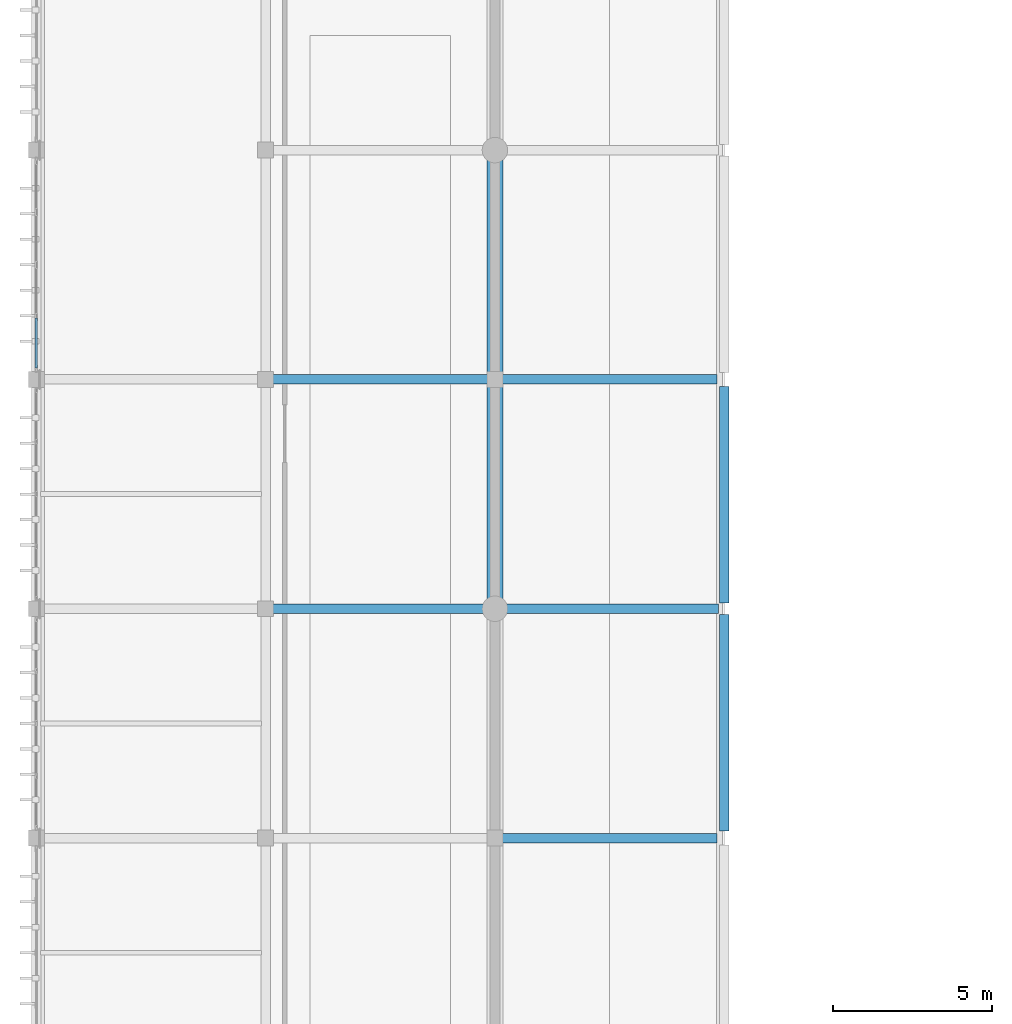
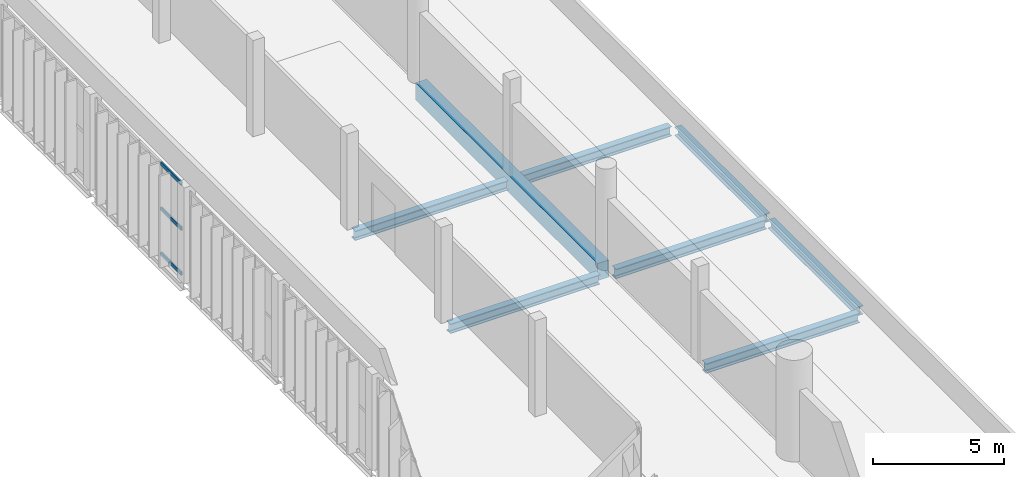
# One storey, part 20 of 64: 8 beams, 3 members, 1 element without a shape of its own.
"""IFC4 building model written with IfcOpenShell, lengths in metres."""

from ifc_helpers import new_model, si_unit, direction, frame, origin, origin_2d, place, context, subcontext, project, spatial, rectangle, hollow_rectangle, i_section, extrude, material, material_profile, profile_set, type_object, element, aggregate, save


model = new_model("IFC4")

# Units and contexts
model_context = context("Model", 3, precision=1e-05, world=origin(), true_north=direction((0.0, 1.0)))
body_context = subcontext(model_context, "Body", "Model", "MODEL_VIEW")
ifc_project = project(units=[si_unit("LENGTHUNIT", "METRE"), si_unit("AREAUNIT", "SQUARE_METRE"), si_unit("VOLUMEUNIT", "CUBIC_METRE"), si_unit("PLANEANGLEUNIT", "RADIAN"), si_unit("MASSUNIT", "GRAM", prefix="KILO")], contexts=[model_context])

# Site, building, storey
site_placement = place(None, origin())
site = spatial("IfcSite", under=ifc_project, at=site_placement, CompositionType="ELEMENT")
building_placement = place(site_placement, origin())
building = spatial("IfcBuilding", under=site, at=building_placement, Name="Qandorah Velis Arena", CompositionType="ELEMENT")
storey_placement = place(building_placement, frame((0.0, 0.0, 23.0)))
storey = spatial("IfcBuildingStorey", under=building, at=storey_placement, Name="L05", CompositionType="ELEMENT", Elevation=23.0)

# Curtain wall, members
ifc_material_1 = material(Name="Solar-control low-E double glazing", Category="glass")
curtain_wall_type = type_object("IfcCurtainWallType", Name="ARC-CW-SYS01", PredefinedType="USERDEFINED", material=ifc_material_1)
curtain_wall_placement = place(storey_placement, origin())
curtain_wall = element("IfcCurtainWall", 1, at=curtain_wall_placement, inside=storey, type_object=curtain_wall_type, Name="Unitised curtain wall L05-049", ObjectType="UNITISED CURTAIN WALL", PredefinedType="USERDEFINED")
ifc_material_2 = material(Name="Champagne-bronze anodized aluminium 6063-T6", Category="aluminium")
ifc_material_profile_1 = material_profile(ifc_material_2, hollow_rectangle(XDim=0.074951171875, YDim=0.159912109375, WallThickness=0.00341796875, at=origin_2d()), Name="ALU TRANSOM 75x160")
ifc_profile_set_1 = profile_set([ifc_material_profile_1], Name="Champagne-bronze anodized aluminium 6063-T6")
member_type = type_object("IfcMemberType", Name="ARC-CWT-160", PredefinedType="USERDEFINED", material=ifc_profile_set_1)
member_1_placement = place(storey_placement, frame((0.0, 79.56298828125, 0.03759765625), z_axis=(0.0, 1.0, 0.0), x_axis=(-1.0, 0.0, 0.0)))
member_1 = element("IfcMember", 2, at=member_1_placement, type_object=member_type, Name="CW01 transom 1.1", ObjectType="TRANSOM", PredefinedType="USERDEFINED", context=body_context, shape_type="SweptSolid", body=[
    extrude(hollow_rectangle(XDim=0.074951171875, YDim=0.159912109375, WallThickness=0.00341796875, at=origin_2d()), origin(), (0.0, 0.0, 1.0), 1.5615234375),
])
member_2_placement = place(storey_placement, frame((0.0, 79.56298828125, 2.139892578125), z_axis=(0.0, 1.0, 0.0), x_axis=(-1.0, 0.0, 0.0)))
member_2 = element("IfcMember", 3, at=member_2_placement, type_object=member_type, Name="CW01 transom 1.2", ObjectType="TRANSOM", PredefinedType="USERDEFINED", context=body_context, shape_type="SweptSolid", body=[
    extrude(hollow_rectangle(XDim=0.074951171875, YDim=0.159912109375, WallThickness=0.00341796875, at=origin_2d()), origin(), (0.0, 0.0, 1.0), 1.5615234375),
])
member_3_placement = place(storey_placement, frame((0.0, 79.56298828125, 4.242431640625), z_axis=(0.0, 1.0, 0.0), x_axis=(-1.0, 0.0, 0.0)))
member_3 = element("IfcMember", 4, at=member_3_placement, type_object=member_type, Name="CW01 transom 1.3", ObjectType="TRANSOM", PredefinedType="USERDEFINED", context=body_context, shape_type="SweptSolid", body=[
    extrude(hollow_rectangle(XDim=0.074951171875, YDim=0.159912109375, WallThickness=0.00341796875, at=origin_2d()), origin(), (0.0, 0.0, 1.0), 1.5615234375),
])
aggregate(curtain_wall, [member_1, member_2, member_3])

# Beams
ifc_material_3 = material(Name="Steel S355", Category="steel")
ifc_material_profile_2 = material_profile(ifc_material_3, i_section(OverallWidth=0.300048828125, OverallDepth=0.39990234375, WebThickness=0.013427734375, FlangeThickness=0.02392578125, FilletRadius=0.027099609375, at=origin_2d()), Name="HEB 400")
ifc_profile_set_2 = profile_set([ifc_material_profile_2], Name="Steel S355")
beam_type_1 = type_object("IfcBeamType", Name="STR-BM-HEB400", PredefinedType="BEAM", material=ifc_profile_set_2)
for number, where, z_axis, x_axis, name in (
    (5, (21.60009765625, 65.02490234375, -0.449951171875), (0.0, 1.0, 0.0), (-1.0, 0.0, 0.0), "Primary floor girder L05 Y-145"),
    (6, (21.60009765625, 72.178466796875, -0.449951171875), (0.0, 1.0, 0.0), (-1.0, 0.0, 0.0), "Primary floor girder L05 Y-146"),
):
    element("IfcBeam", number, at=place(storey_placement, frame(where, z_axis=z_axis, x_axis=x_axis)), inside=storey, type_object=beam_type_1, Name=name, PredefinedType="BEAM", context=body_context, shape_type="SweptSolid", body=[
        extrude(i_section(OverallWidth=0.300048828125, OverallDepth=0.39990234375, WebThickness=0.013427734375, FlangeThickness=0.02392578125, FilletRadius=0.027099609375, at=origin_2d()), origin(), (0.0, 0.0, 1.0), 6.796630859375),
    ])
ifc_material_profile_3 = material_profile(ifc_material_3, i_section(OverallWidth=0.300048828125, OverallDepth=0.449951171875, WebThickness=0.013916015625, FlangeThickness=0.02587890625, FilletRadius=0.027099609375, at=origin_2d()), Name="HEB 450")
ifc_profile_set_3 = profile_set([ifc_material_profile_3], Name="Steel S355")
beam_type_2 = type_object("IfcBeamType", Name="STR-BM-HEB450", PredefinedType="BEAM", material=ifc_profile_set_3)
beam_1_placement = place(storey_placement, frame((14.57861328125, 64.800048828125, -0.47509765625), z_axis=(1.0, 0.0, 0.0), x_axis=(0.0, 1.0, 0.0)))
element("IfcBeam", 7, at=beam_1_placement, inside=storey, type_object=beam_type_2, Name="Primary floor girder L05 X-058", PredefinedType="BEAM", context=body_context, shape_type="SweptSolid", body=[
    extrude(i_section(OverallWidth=0.300048828125, OverallDepth=0.449951171875, WebThickness=0.013916015625, FlangeThickness=0.02587890625, FilletRadius=0.027099609375, at=origin_2d()), origin(), (0.0, 0.0, 1.0), 6.79638671875),
])
beam_2_placement = place(storey_placement, frame((7.425048828125, 72.0, -0.47509765625), z_axis=(1.0, 0.0, 0.0), x_axis=(0.0, 1.0, 0.0)))
element("IfcBeam", 8, at=beam_2_placement, inside=storey, type_object=beam_type_2, Name="Primary floor girder L05 X-060", PredefinedType="BEAM", context=body_context, shape_type="SweptSolid", body=[
    extrude(i_section(OverallWidth=0.300048828125, OverallDepth=0.449951171875, WebThickness=0.013916015625, FlangeThickness=0.02587890625, FilletRadius=0.027099609375, at=origin_2d()), origin(), (0.0, 0.0, 1.0), 6.625),
])
beam_3_placement = place(storey_placement, frame((14.75, 72.0, -0.47509765625), z_axis=(1.0, 0.0, 0.0), x_axis=(0.0, 1.0, 0.0)))
element("IfcBeam", 9, at=beam_3_placement, inside=storey, type_object=beam_type_2, Name="Primary floor girder L05 X-061", PredefinedType="BEAM", context=body_context, shape_type="SweptSolid", body=[
    extrude(i_section(OverallWidth=0.300048828125, OverallDepth=0.449951171875, WebThickness=0.013916015625, FlangeThickness=0.02587890625, FilletRadius=0.027099609375, at=origin_2d()), origin(), (0.0, 0.0, 1.0), 6.67138671875),
])
beam_4_placement = place(storey_placement, frame((7.37841796875, 79.199951171875, -0.47509765625), z_axis=(1.0, 0.0, 0.0), x_axis=(0.0, 1.0, 0.0)))
element("IfcBeam", 10, at=beam_4_placement, inside=storey, type_object=beam_type_2, Name="Primary floor girder L05 X-063", PredefinedType="BEAM", context=body_context, shape_type="SweptSolid", body=[
    extrude(i_section(OverallWidth=0.300048828125, OverallDepth=0.449951171875, WebThickness=0.013916015625, FlangeThickness=0.02587890625, FilletRadius=0.027099609375, at=origin_2d()), origin(), (0.0, 0.0, 1.0), 6.843017578125),
])
beam_5_placement = place(storey_placement, frame((14.57861328125, 79.199951171875, -0.47509765625), z_axis=(1.0, 0.0, 0.0), x_axis=(0.0, 1.0, 0.0)))
element("IfcBeam", 11, at=beam_5_placement, inside=storey, type_object=beam_type_2, Name="Primary floor girder L05 X-064", PredefinedType="BEAM", context=body_context, shape_type="SweptSolid", body=[
    extrude(i_section(OverallWidth=0.300048828125, OverallDepth=0.449951171875, WebThickness=0.013916015625, FlangeThickness=0.02587890625, FilletRadius=0.027099609375, at=origin_2d()), origin(), (0.0, 0.0, 1.0), 6.79638671875),
])
ifc_material_4 = material(Name="Concrete C40/50", Category="concrete")
ifc_material_profile_4 = material_profile(ifc_material_4, rectangle(XDim=0.5, YDim=0.800048828125, at=origin_2d()), Name="RC BM 500x800")
ifc_profile_set_4 = profile_set([ifc_material_profile_4], Name="Concrete C40/50")
beam_type_3 = type_object("IfcBeamType", Name="STR-RCBM-500X800", PredefinedType="BEAM", material=ifc_profile_set_4)
beam_6_placement = place(storey_placement, frame((14.39990234375, 72.219970703125, -0.39990234375), z_axis=(0.0, 1.0, 0.0), x_axis=(-1.0, 0.0, 0.0)))
element("IfcBeam", 12, at=beam_6_placement, inside=storey, type_object=beam_type_3, Name="Drum west ring beam L05-5", PredefinedType="BEAM", context=body_context, shape_type="SweptSolid", body=[
    extrude(rectangle(XDim=0.5, YDim=0.800048828125, at=origin_2d()), origin(), (0.0, 0.0, 1.0), 13.9599609375),
])

save(model, "model.ifc")
